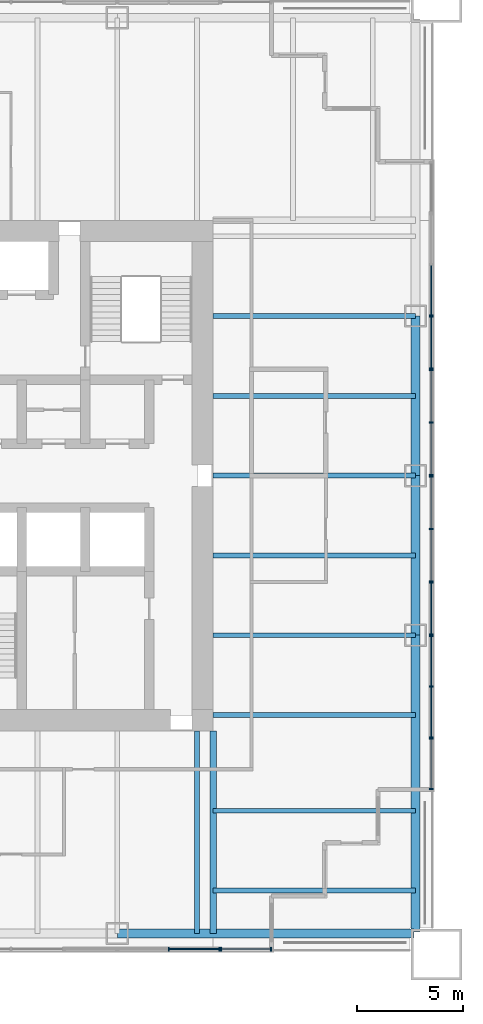
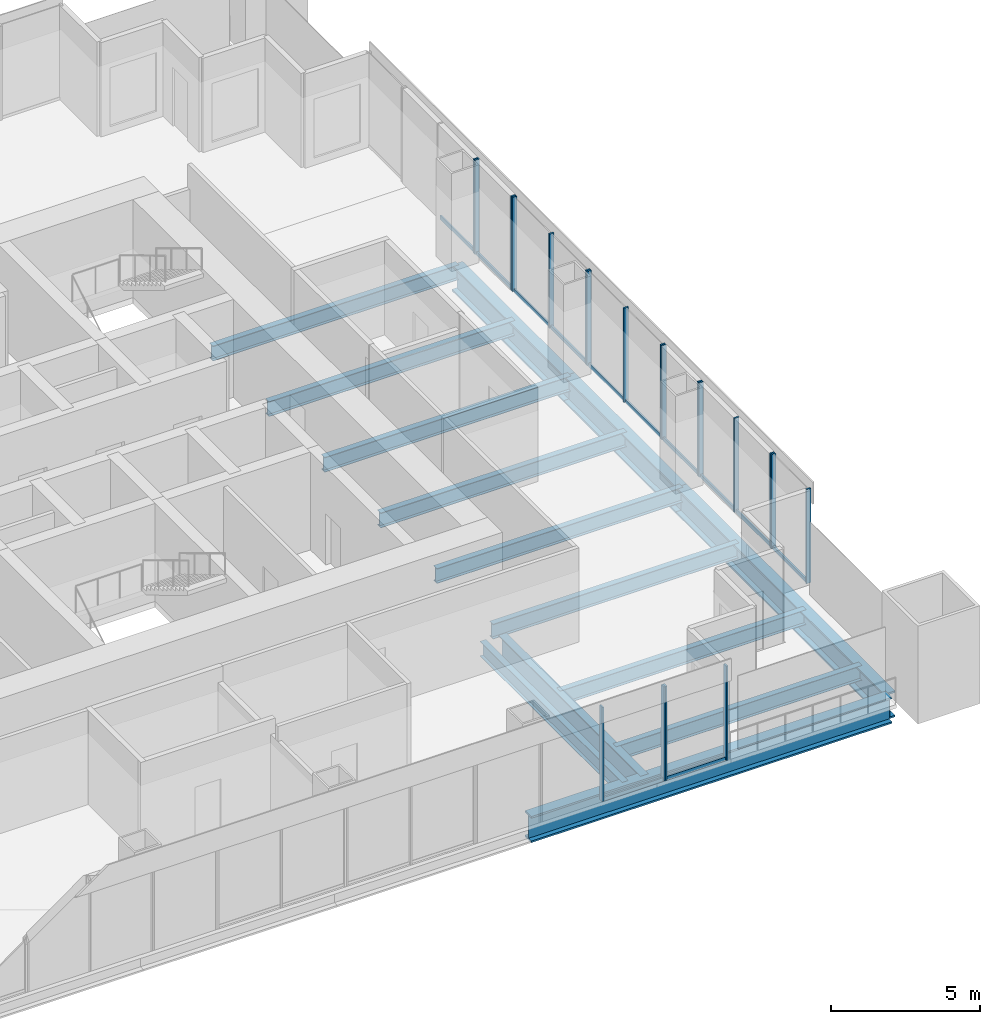
# One storey, part 4 of 13: 32 members, 14 beams, 9 elements without a shape of their own.
"""IFC4 building model written with IfcOpenShell, lengths in metres."""

from ifc_helpers import new_model, si_unit, direction, frame, origin, origin_2d, place, context, subcontext, project, spatial, rectangle, i_section, extrude, material, material_profile, profile_set, type_object, element, aggregate, save


model = new_model("IFC4")

# Units and contexts
model_context = context("Model", 3, precision=1e-05, world=origin(), true_north=direction((0.0, 1.0)))
body_context = subcontext(model_context, "Body", "Model", "MODEL_VIEW")
ifc_project = project(units=[si_unit("LENGTHUNIT", "METRE"), si_unit("AREAUNIT", "SQUARE_METRE"), si_unit("VOLUMEUNIT", "CUBIC_METRE"), si_unit("PLANEANGLEUNIT", "RADIAN"), si_unit("MASSUNIT", "GRAM", prefix="KILO")], contexts=[model_context])

# Site, building, storey
site_placement = place(None, origin())
site = spatial("IfcSite", under=ifc_project, at=site_placement, CompositionType="ELEMENT")
building_placement = place(site_placement, origin())
building = spatial("IfcBuilding", under=site, at=building_placement, Name="Tarangal Relay Tower", CompositionType="ELEMENT")
storey_placement = place(building_placement, frame((0.0, 0.0, 225.89990234375)))
storey = spatial("IfcBuildingStorey", under=building, at=storey_placement, Name="L48", CompositionType="ELEMENT", Elevation=225.89990234375)

# Beams
ifc_material_1 = material(Name="Steel ASTM A992", Category="steel")
ifc_material_profile_1 = material_profile(ifc_material_1, i_section(OverallWidth=0.227783203125, OverallDepth=0.60205078125, WebThickness=0.010498046875, FlangeThickness=0.014892578125, at=origin_2d()), Name="W24X68")
ifc_profile_set_1 = profile_set([ifc_material_profile_1], Name="Steel ASTM A992")
beam_type_1 = type_object("IfcBeamType", Name="Corner beam W24X68", PredefinedType="JOIST", material=ifc_profile_set_1)
for number, where, z_axis, x_axis, name in (
    (1, (12.0, -15.75, -0.450927734375), (1.0, 0.0, 0.0), (0.0, 1.0, 0.0), "Corner beam CB11 E L48"),
    (2, (12.0, -19.5, -0.450927734375), (1.0, 0.0, 0.0), (0.0, 1.0, 0.0), "Corner beam CB11 E L48"),
):
    element("IfcBeam", number, at=place(storey_placement, frame(where, z_axis=z_axis, x_axis=x_axis)), inside=storey, type_object=beam_type_1, Name=name, PredefinedType="JOIST", context=body_context, shape_type="SweptSolid", body=[
        extrude(i_section(OverallWidth=0.227783203125, OverallDepth=0.60205078125, WebThickness=0.010498046875, FlangeThickness=0.014892578125, at=origin_2d()), origin(), (0.0, 0.0, 1.0), 9.514892578125),
    ])
ifc_material_profile_2 = material_profile(ifc_material_1, i_section(OverallWidth=0.307373046875, OverallDepth=0.9423828125, WebThickness=0.022216796875, FlangeThickness=0.039794921875, at=origin_2d()), Name="W36X232")
ifc_profile_set_2 = profile_set([ifc_material_profile_2], Name="Steel ASTM A992")
beam_type_2 = type_object("IfcBeamType", Name="Corner girder W36X232", PredefinedType="BEAM", material=ifc_profile_set_2)
beam_placement = place(storey_placement, frame((12.0, -12.0, -0.62109375), z_axis=(0.0, -1.0, 0.0), x_axis=(1.0, 0.0, 0.0)))
element("IfcBeam", 3, at=beam_placement, inside=storey, type_object=beam_type_2, Name="Corner girder CG4 E L48", PredefinedType="BEAM", context=body_context, shape_type="SweptSolid", body=[
    extrude(i_section(OverallWidth=0.307373046875, OverallDepth=0.9423828125, WebThickness=0.022216796875, FlangeThickness=0.039794921875, at=origin_2d()), origin(), (0.0, 0.0, 1.0), 9.514892578125),
])
ifc_material_profile_3 = material_profile(ifc_material_1, i_section(OverallWidth=0.41650390625, OverallDepth=1.0693359375, WebThickness=0.0390625, FlangeThickness=0.070068359375, at=origin_2d()), Name="W40X503")
ifc_profile_set_3 = profile_set([ifc_material_profile_3], Name="Steel ASTM A992")
beam_type_3 = type_object("IfcBeamType", Name="Edge girder W40X503", PredefinedType="SPANDREL", material=ifc_profile_set_3)
for number, where, z_axis, x_axis, name in (
    (4, (21.514892578125, 7.5, -0.6845703125), (0.0, -1.0, 0.0), (1.0, 0.0, 0.0), "Edge girder EG8 E L48"),
    (5, (21.514892578125, 0.0, -0.6845703125), (0.0, -1.0, 0.0), (1.0, 0.0, 0.0), "Edge girder EG8 E L48"),
):
    element("IfcBeam", number, at=place(storey_placement, frame(where, z_axis=z_axis, x_axis=x_axis)), inside=storey, type_object=beam_type_3, Name=name, PredefinedType="SPANDREL", context=body_context, shape_type="SweptSolid", body=[
        extrude(i_section(OverallWidth=0.41650390625, OverallDepth=1.0693359375, WebThickness=0.0390625, FlangeThickness=0.070068359375, at=origin_2d()), origin(), (0.0, 0.0, 1.0), 7.5),
    ])
for number, where, z_axis, x_axis, name in (
    (6, (21.514892578125, -7.5, -0.6845703125), (0.0, -1.0, 0.0), (1.0, 0.0, 0.0), "Edge girder EG8 E L48"),
    (7, (21.449951171875, -21.514892578125, -0.6845703125), (-1.0, 0.0, 0.0), (0.0, -1.0, 0.0), "Edge girder EG8 S L48"),
):
    element("IfcBeam", number, at=place(storey_placement, frame(where, z_axis=z_axis, x_axis=x_axis)), inside=storey, type_object=beam_type_3, Name=name, PredefinedType="SPANDREL", context=body_context, shape_type="SweptSolid", body=[
        extrude(i_section(OverallWidth=0.41650390625, OverallDepth=1.0693359375, WebThickness=0.0390625, FlangeThickness=0.070068359375, at=origin_2d()), origin(), (0.0, 0.0, 1.0), 13.949951171875),
    ])
ifc_material_profile_4 = material_profile(ifc_material_1, i_section(OverallWidth=0.22900390625, OverallDepth=0.612060546875, WebThickness=0.011962890625, FlangeThickness=0.01953125, at=origin_2d()), Name="W24X84")
ifc_profile_set_4 = profile_set([ifc_material_profile_4], Name="Steel ASTM A992")
beam_type_4 = type_object("IfcBeamType", Name="Floor beam W24X84", PredefinedType="BEAM", material=ifc_profile_set_4)
for number, where, z_axis, x_axis, name in (
    (8, (12.0, 7.5, -0.455810546875), (1.0, 0.0, 0.0), (0.0, 1.0, 0.0), "Floor beam RB12 E L48"),
    (9, (12.0, 3.75, -0.455810546875), (1.0, 0.0, 0.0), (0.0, 1.0, 0.0), "Floor beam RB12 E L48"),
    (10, (12.0, 0.0, -0.455810546875), (1.0, 0.0, 0.0), (0.0, 1.0, 0.0), "Floor beam RB12 E L48"),
    (11, (12.0, -3.75, -0.455810546875), (1.0, 0.0, 0.0), (0.0, 1.0, 0.0), "Floor beam RB12 E L48"),
    (12, (12.0, -7.5, -0.455810546875), (1.0, 0.0, 0.0), (0.0, 1.0, 0.0), "Floor beam RB12 E L48"),
    (13, (12.0, -11.25, -0.455810546875), (1.0, 0.0, 0.0), (0.0, 1.0, 0.0), "Floor beam RB12 E L48"),
    (14, (11.25, -12.0, -0.455810546875), (0.0, -1.0, 0.0), (1.0, 0.0, 0.0), "Floor beam RB12 S L48"),
):
    element("IfcBeam", number, at=place(storey_placement, frame(where, z_axis=z_axis, x_axis=x_axis)), inside=storey, type_object=beam_type_4, Name=name, PredefinedType="BEAM", context=body_context, shape_type="SweptSolid", body=[
        extrude(i_section(OverallWidth=0.22900390625, OverallDepth=0.612060546875, WebThickness=0.011962890625, FlangeThickness=0.01953125, at=origin_2d()), origin(), (0.0, 0.0, 1.0), 9.514892578125),
    ])

# Curtain wall, members
ifc_material_2 = material(Name="Unitised curtain wall, dark glass and black aluminium", Category="aluminium")
curtain_wall_type_1 = type_object("IfcCurtainWallType", Name="Curtain wall CW-A", PredefinedType="USERDEFINED", material=ifc_material_2)
curtain_wall_1_placement = place(storey_placement, origin())
curtain_wall_1 = element("IfcCurtainWall", 15, at=curtain_wall_1_placement, inside=storey, type_object=curtain_wall_type_1, Name="Curtain wall CW-A E facade L48", ObjectType="UNITISED CURTAIN WALL", PredefinedType="USERDEFINED")
ifc_material_3 = material(Name="Black anodised aluminium mullion", Category="aluminium")
ifc_material_profile_5 = material_profile(ifc_material_3, rectangle(XDim=0.175048828125, YDim=0.06494140625, at=origin_2d()), Name="CW-AM 65X175")
ifc_profile_set_5 = profile_set([ifc_material_profile_5], Name="Black anodised aluminium mullion")
member_type_1 = type_object("IfcMemberType", Name="Mullion CW-A 65 x 175", PredefinedType="MULLION", material=ifc_profile_set_5)
member_1_placement = place(storey_placement, frame((22.25, 4.967529296875, 0.0), z_axis=(0.0, 0.0, 1.0), x_axis=(1.0, 0.0, 0.0)))
member_1 = element("IfcMember", 16, at=member_1_placement, type_object=member_type_1, Name="CW-A mullion 1", PredefinedType="MULLION", context=body_context, shape_type="SweptSolid", body=[
    extrude(rectangle(XDim=0.175048828125, YDim=0.06494140625, at=origin_2d()), origin(), (0.0, 0.0, 1.0), 3.85009765625),
])
member_2_placement = place(storey_placement, frame((22.25, 2.5, 0.0), z_axis=(0.0, 0.0, 1.0), x_axis=(1.0, 0.0, 0.0)))
member_2 = element("IfcMember", 17, at=member_2_placement, type_object=member_type_1, Name="CW-A mullion 2", PredefinedType="MULLION", context=body_context, shape_type="SweptSolid", body=[
    extrude(rectangle(XDim=0.175048828125, YDim=0.06494140625, at=origin_2d()), origin(), (0.0, 0.0, 1.0), 3.85009765625),
])
member_3_placement = place(storey_placement, frame((22.25, 0.032470703125, 0.0), z_axis=(0.0, 0.0, 1.0), x_axis=(1.0, 0.0, 0.0)))
member_3 = element("IfcMember", 18, at=member_3_placement, type_object=member_type_1, Name="CW-A mullion 3", PredefinedType="MULLION", context=body_context, shape_type="SweptSolid", body=[
    extrude(rectangle(XDim=0.175048828125, YDim=0.06494140625, at=origin_2d()), origin(), (0.0, 0.0, 1.0), 3.85009765625),
])

curtain_wall_2_placement = place(storey_placement, origin())
curtain_wall_2 = element("IfcCurtainWall", 19, at=curtain_wall_2_placement, inside=storey, type_object=curtain_wall_type_1, Name="Curtain wall CW-A E facade L48", ObjectType="UNITISED CURTAIN WALL", PredefinedType="USERDEFINED")
member_4_placement = place(storey_placement, frame((22.25, -0.032470703125, 0.0), z_axis=(0.0, 0.0, 1.0), x_axis=(1.0, 0.0, 0.0)))
member_4 = element("IfcMember", 20, at=member_4_placement, type_object=member_type_1, Name="CW-A mullion 1", PredefinedType="MULLION", context=body_context, shape_type="SweptSolid", body=[
    extrude(rectangle(XDim=0.175048828125, YDim=0.06494140625, at=origin_2d()), origin(), (0.0, 0.0, 1.0), 3.85009765625),
])
member_5_placement = place(storey_placement, frame((22.25, -2.5, 0.0), z_axis=(0.0, 0.0, 1.0), x_axis=(1.0, 0.0, 0.0)))
member_5 = element("IfcMember", 21, at=member_5_placement, type_object=member_type_1, Name="CW-A mullion 2", PredefinedType="MULLION", context=body_context, shape_type="SweptSolid", body=[
    extrude(rectangle(XDim=0.175048828125, YDim=0.06494140625, at=origin_2d()), origin(), (0.0, 0.0, 1.0), 3.85009765625),
])
member_6_placement = place(storey_placement, frame((22.25, -4.967529296875, 0.0), z_axis=(0.0, 0.0, 1.0), x_axis=(1.0, 0.0, 0.0)))
member_6 = element("IfcMember", 22, at=member_6_placement, type_object=member_type_1, Name="CW-A mullion 3", PredefinedType="MULLION", context=body_context, shape_type="SweptSolid", body=[
    extrude(rectangle(XDim=0.175048828125, YDim=0.06494140625, at=origin_2d()), origin(), (0.0, 0.0, 1.0), 3.85009765625),
])

curtain_wall_3_placement = place(storey_placement, origin())
curtain_wall_3 = element("IfcCurtainWall", 23, at=curtain_wall_3_placement, inside=storey, type_object=curtain_wall_type_1, Name="Curtain wall CW-A E facade L48", ObjectType="UNITISED CURTAIN WALL", PredefinedType="USERDEFINED")
member_7_placement = place(storey_placement, frame((22.25, -12.36572265625, 0.0), z_axis=(0.0, 0.0, 1.0), x_axis=(1.0, 0.0, 0.0)))
member_7 = element("IfcMember", 24, at=member_7_placement, type_object=member_type_1, Name="CW-A mullion 1", PredefinedType="MULLION", context=body_context, shape_type="SweptSolid", body=[
    extrude(rectangle(XDim=0.175048828125, YDim=0.06494140625, at=origin_2d()), origin(), (0.0, 0.0, 1.0), 3.85009765625),
])
member_8_placement = place(storey_placement, frame((22.25, -14.717529296875, 0.0), z_axis=(0.0, 0.0, 1.0), x_axis=(1.0, 0.0, 0.0)))
member_8 = element("IfcMember", 25, at=member_8_placement, type_object=member_type_1, Name="CW-A mullion 2", PredefinedType="MULLION", context=body_context, shape_type="SweptSolid", body=[
    extrude(rectangle(XDim=0.175048828125, YDim=0.06494140625, at=origin_2d()), origin(), (0.0, 0.0, 1.0), 3.85009765625),
])

curtain_wall_4_placement = place(storey_placement, origin())
curtain_wall_4 = element("IfcCurtainWall", 26, at=curtain_wall_4_placement, inside=storey, type_object=curtain_wall_type_1, Name="Curtain wall CW-A S facade L48", ObjectType="UNITISED CURTAIN WALL", PredefinedType="USERDEFINED")
member_9_placement = place(storey_placement, frame((14.717529296875, -22.25, 0.0), z_axis=(0.0, 0.0, 1.0), x_axis=(0.0, -1.0, 0.0)))
member_9 = element("IfcMember", 27, at=member_9_placement, type_object=member_type_1, Name="CW-A mullion 1", PredefinedType="MULLION", context=body_context, shape_type="SweptSolid", body=[
    extrude(rectangle(XDim=0.175048828125, YDim=0.06494140625, at=origin_2d()), origin(), (0.0, 0.0, 1.0), 3.85009765625),
])
member_10_placement = place(storey_placement, frame((12.36572265625, -22.25, 0.0), z_axis=(0.0, 0.0, 1.0), x_axis=(0.0, -1.0, 0.0)))
member_10 = element("IfcMember", 28, at=member_10_placement, type_object=member_type_1, Name="CW-A mullion 2", PredefinedType="MULLION", context=body_context, shape_type="SweptSolid", body=[
    extrude(rectangle(XDim=0.175048828125, YDim=0.06494140625, at=origin_2d()), origin(), (0.0, 0.0, 1.0), 3.85009765625),
])

# Curtain wall, member
ifc_material_4 = material(Name="Unitised curtain wall frame, black aluminium, with metal clad infill walls", Category="aluminium")
curtain_wall_type_2 = type_object("IfcCurtainWallType", Name="Curtain wall CW-AO", PredefinedType="USERDEFINED", material=ifc_material_4)
curtain_wall_5_placement = place(storey_placement, origin())
curtain_wall_5 = element("IfcCurtainWall", 29, at=curtain_wall_5_placement, inside=storey, type_object=curtain_wall_type_2, Name="Curtain wall CW-AO E facade L48", ObjectType="UNITISED CURTAIN WALL", PredefinedType="USERDEFINED")
ifc_material_profile_6 = material_profile(ifc_material_3, rectangle(XDim=0.175048828125, YDim=0.06494140625, at=origin_2d()), Name="CW-AOM 65X175")
ifc_profile_set_6 = profile_set([ifc_material_profile_6], Name="Black anodised aluminium mullion")
member_type_2 = type_object("IfcMemberType", Name="Mullion CW-AO 65 x 175", PredefinedType="MULLION", material=ifc_profile_set_6)
member_11_placement = place(storey_placement, frame((22.25, 7.532470703125, 0.0), z_axis=(0.0, 0.0, 1.0), x_axis=(1.0, 0.0, 0.0)))
member_11 = element("IfcMember", 30, at=member_11_placement, type_object=member_type_2, Name="CW-AO mullion 3", PredefinedType="MULLION", context=body_context, shape_type="SweptSolid", body=[
    extrude(rectangle(XDim=0.175048828125, YDim=0.06494140625, at=origin_2d()), origin(), (0.0, 0.0, 1.0), 3.85009765625),
])

# Curtain wall, members
curtain_wall_6_placement = place(storey_placement, origin())
curtain_wall_6 = element("IfcCurtainWall", 31, at=curtain_wall_6_placement, inside=storey, type_object=curtain_wall_type_2, Name="Curtain wall CW-AO E facade L48", ObjectType="UNITISED CURTAIN WALL", PredefinedType="USERDEFINED")
member_12_placement = place(storey_placement, frame((22.25, 7.467529296875, 0.0), z_axis=(0.0, 0.0, 1.0), x_axis=(1.0, 0.0, 0.0)))
member_12 = element("IfcMember", 32, at=member_12_placement, type_object=member_type_2, Name="CW-AO mullion 1", PredefinedType="MULLION", context=body_context, shape_type="SweptSolid", body=[
    extrude(rectangle(XDim=0.175048828125, YDim=0.06494140625, at=origin_2d()), origin(), (0.0, 0.0, 1.0), 3.85009765625),
])
member_13_placement = place(storey_placement, frame((22.25, 5.032470703125, 0.0), z_axis=(0.0, 0.0, 1.0), x_axis=(1.0, 0.0, 0.0)))
member_13 = element("IfcMember", 33, at=member_13_placement, type_object=member_type_2, Name="CW-AO mullion 2", PredefinedType="MULLION", context=body_context, shape_type="SweptSolid", body=[
    extrude(rectangle(XDim=0.175048828125, YDim=0.06494140625, at=origin_2d()), origin(), (0.0, 0.0, 1.0), 3.85009765625),
])

curtain_wall_7_placement = place(storey_placement, origin())
curtain_wall_7 = element("IfcCurtainWall", 34, at=curtain_wall_7_placement, inside=storey, type_object=curtain_wall_type_2, Name="Curtain wall CW-AO E facade L48", ObjectType="UNITISED CURTAIN WALL", PredefinedType="USERDEFINED")
member_14_placement = place(storey_placement, frame((22.25, -5.032470703125, 0.0), z_axis=(0.0, 0.0, 1.0), x_axis=(1.0, 0.0, 0.0)))
member_14 = element("IfcMember", 35, at=member_14_placement, type_object=member_type_2, Name="CW-AO mullion 1", PredefinedType="MULLION", context=body_context, shape_type="SweptSolid", body=[
    extrude(rectangle(XDim=0.175048828125, YDim=0.06494140625, at=origin_2d()), origin(), (0.0, 0.0, 1.0), 3.85009765625),
])
member_15_placement = place(storey_placement, frame((22.25, -7.467529296875, 0.0), z_axis=(0.0, 0.0, 1.0), x_axis=(1.0, 0.0, 0.0)))
member_15 = element("IfcMember", 36, at=member_15_placement, type_object=member_type_2, Name="CW-AO mullion 2", PredefinedType="MULLION", context=body_context, shape_type="SweptSolid", body=[
    extrude(rectangle(XDim=0.175048828125, YDim=0.06494140625, at=origin_2d()), origin(), (0.0, 0.0, 1.0), 3.85009765625),
])

curtain_wall_8_placement = place(storey_placement, origin())
curtain_wall_8 = element("IfcCurtainWall", 37, at=curtain_wall_8_placement, inside=storey, type_object=curtain_wall_type_2, Name="Curtain wall CW-AO E facade L48", ObjectType="UNITISED CURTAIN WALL", PredefinedType="USERDEFINED")
member_16_placement = place(storey_placement, frame((22.25, -7.532470703125, 0.0), z_axis=(0.0, 0.0, 1.0), x_axis=(1.0, 0.0, 0.0)))
member_16 = element("IfcMember", 38, at=member_16_placement, type_object=member_type_2, Name="CW-AO mullion 1", PredefinedType="MULLION", context=body_context, shape_type="SweptSolid", body=[
    extrude(rectangle(XDim=0.175048828125, YDim=0.06494140625, at=origin_2d()), origin(), (0.0, 0.0, 1.0), 3.85009765625),
])
member_17_placement = place(storey_placement, frame((22.25, -9.916748046875, 0.0), z_axis=(0.0, 0.0, 1.0), x_axis=(1.0, 0.0, 0.0)))
member_17 = element("IfcMember", 39, at=member_17_placement, type_object=member_type_2, Name="CW-AO mullion 2", PredefinedType="MULLION", context=body_context, shape_type="SweptSolid", body=[
    extrude(rectangle(XDim=0.175048828125, YDim=0.06494140625, at=origin_2d()), origin(), (0.0, 0.0, 1.0), 3.85009765625),
])
member_18_placement = place(storey_placement, frame((22.25, -12.30078125, 0.0), z_axis=(0.0, 0.0, 1.0), x_axis=(1.0, 0.0, 0.0)))
member_18 = element("IfcMember", 40, at=member_18_placement, type_object=member_type_2, Name="CW-AO mullion 3", PredefinedType="MULLION", context=body_context, shape_type="SweptSolid", body=[
    extrude(rectangle(XDim=0.175048828125, YDim=0.06494140625, at=origin_2d()), origin(), (0.0, 0.0, 1.0), 3.85009765625),
])

curtain_wall_9_placement = place(storey_placement, origin())
curtain_wall_9 = element("IfcCurtainWall", 41, at=curtain_wall_9_placement, inside=storey, type_object=curtain_wall_type_2, Name="Curtain wall CW-AO S facade L48", ObjectType="UNITISED CURTAIN WALL", PredefinedType="USERDEFINED")
member_19_placement = place(storey_placement, frame((12.30078125, -22.25, 0.0), z_axis=(0.0, 0.0, 1.0), x_axis=(0.0, -1.0, 0.0)))
member_19 = element("IfcMember", 42, at=member_19_placement, type_object=member_type_2, Name="CW-AO mullion 1", PredefinedType="MULLION", context=body_context, shape_type="SweptSolid", body=[
    extrude(rectangle(XDim=0.175048828125, YDim=0.06494140625, at=origin_2d()), origin(), (0.0, 0.0, 1.0), 3.85009765625),
])
member_20_placement = place(storey_placement, frame((9.916748046875, -22.25, 0.0), z_axis=(0.0, 0.0, 1.0), x_axis=(0.0, -1.0, 0.0)))
member_20 = element("IfcMember", 43, at=member_20_placement, type_object=member_type_2, Name="CW-AO mullion 2", PredefinedType="MULLION", context=body_context, shape_type="SweptSolid", body=[
    extrude(rectangle(XDim=0.175048828125, YDim=0.06494140625, at=origin_2d()), origin(), (0.0, 0.0, 1.0), 3.85009765625),
])

# Member
ifc_material_5 = material(Name="Black anodised aluminium transom", Category="aluminium")
ifc_material_profile_7 = material_profile(ifc_material_5, rectangle(XDim=0.06494140625, YDim=0.14990234375, at=origin_2d()), Name="CW-AT 65X150")
ifc_profile_set_7 = profile_set([ifc_material_profile_7], Name="Black anodised aluminium transom")
member_type_3 = type_object("IfcMemberType", Name="Transom CW-A 65 x 150", PredefinedType="USERDEFINED", material=ifc_profile_set_7)
member_21_placement = place(storey_placement, frame((22.25, 4.93505859375, 0.03271484375), z_axis=(0.0, -1.0, 0.0), x_axis=(1.0, 0.0, 0.0)))
member_21 = element("IfcMember", 44, at=member_21_placement, type_object=member_type_3, Name="CW-A transom 1.1", ObjectType="TRANSOM", PredefinedType="USERDEFINED", context=body_context, shape_type="SweptSolid", body=[
    extrude(rectangle(XDim=0.06494140625, YDim=0.14990234375, at=origin_2d()), origin(), (0.0, 0.0, 1.0), 2.402587890625),
])

member_22_placement = place(storey_placement, frame((22.25, 2.467529296875, 0.03271484375), z_axis=(0.0, -1.0, 0.0), x_axis=(1.0, 0.0, 0.0)))
member_22 = element("IfcMember", 45, at=member_22_placement, type_object=member_type_3, Name="CW-A transom 2.1", ObjectType="TRANSOM", PredefinedType="USERDEFINED", context=body_context, shape_type="SweptSolid", body=[
    extrude(rectangle(XDim=0.06494140625, YDim=0.14990234375, at=origin_2d()), origin(), (0.0, 0.0, 1.0), 2.402587890625),
])

aggregate(curtain_wall_1, [member_1, member_2, member_3, member_21, member_22])

member_23_placement = place(storey_placement, frame((22.25, -0.06494140625, 0.03271484375), z_axis=(0.0, -1.0, 0.0), x_axis=(1.0, 0.0, 0.0)))
member_23 = element("IfcMember", 46, at=member_23_placement, type_object=member_type_3, Name="CW-A transom 1.1", ObjectType="TRANSOM", PredefinedType="USERDEFINED", context=body_context, shape_type="SweptSolid", body=[
    extrude(rectangle(XDim=0.06494140625, YDim=0.14990234375, at=origin_2d()), origin(), (0.0, 0.0, 1.0), 2.402587890625),
])

member_24_placement = place(storey_placement, frame((22.25, -2.532470703125, 0.03271484375), z_axis=(0.0, -1.0, 0.0), x_axis=(1.0, 0.0, 0.0)))
member_24 = element("IfcMember", 47, at=member_24_placement, type_object=member_type_3, Name="CW-A transom 2.1", ObjectType="TRANSOM", PredefinedType="USERDEFINED", context=body_context, shape_type="SweptSolid", body=[
    extrude(rectangle(XDim=0.06494140625, YDim=0.14990234375, at=origin_2d()), origin(), (0.0, 0.0, 1.0), 2.402587890625),
])

aggregate(curtain_wall_2, [member_4, member_5, member_6, member_23, member_24])

member_25_placement = place(storey_placement, frame((22.25, -12.398193359375, 0.03271484375), z_axis=(0.0, -1.0, 0.0), x_axis=(1.0, 0.0, 0.0)))
member_25 = element("IfcMember", 48, at=member_25_placement, type_object=member_type_3, Name="CW-A transom 1.1", ObjectType="TRANSOM", PredefinedType="USERDEFINED", context=body_context, shape_type="SweptSolid", body=[
    extrude(rectangle(XDim=0.06494140625, YDim=0.14990234375, at=origin_2d()), origin(), (0.0, 0.0, 1.0), 2.286865234375),
])

aggregate(curtain_wall_3, [member_7, member_8, member_25])

member_26_placement = place(storey_placement, frame((14.68505859375, -22.25, 0.03271484375), z_axis=(-1.0, 0.0, 0.0), x_axis=(0.0, -1.0, 0.0)))
member_26 = element("IfcMember", 49, at=member_26_placement, type_object=member_type_3, Name="CW-A transom 1.1", ObjectType="TRANSOM", PredefinedType="USERDEFINED", context=body_context, shape_type="SweptSolid", body=[
    extrude(rectangle(XDim=0.06494140625, YDim=0.14990234375, at=origin_2d()), origin(), (0.0, 0.0, 1.0), 2.286865234375),
])

aggregate(curtain_wall_4, [member_9, member_10, member_26])

ifc_material_profile_8 = material_profile(ifc_material_5, rectangle(XDim=0.06494140625, YDim=0.14990234375, at=origin_2d()), Name="CW-AOT 65X150")
ifc_profile_set_8 = profile_set([ifc_material_profile_8], Name="Black anodised aluminium transom")
member_type_4 = type_object("IfcMemberType", Name="Transom CW-AO 65 x 150", PredefinedType="USERDEFINED", material=ifc_profile_set_8)
member_27_placement = place(storey_placement, frame((22.25, 9.884033203125, 0.03271484375), z_axis=(0.0, -1.0, 0.0), x_axis=(1.0, 0.0, 0.0)))
member_27 = element("IfcMember", 50, at=member_27_placement, type_object=member_type_4, Name="CW-AO transom 2.1", ObjectType="TRANSOM", PredefinedType="USERDEFINED", context=body_context, shape_type="SweptSolid", body=[
    extrude(rectangle(XDim=0.06494140625, YDim=0.14990234375, at=origin_2d()), origin(), (0.0, 0.0, 1.0), 2.319091796875),
])

aggregate(curtain_wall_5, [member_11, member_27])

member_28_placement = place(storey_placement, frame((22.25, 7.43505859375, 0.03271484375), z_axis=(0.0, -1.0, 0.0), x_axis=(1.0, 0.0, 0.0)))
member_28 = element("IfcMember", 51, at=member_28_placement, type_object=member_type_4, Name="CW-AO transom 1.1", ObjectType="TRANSOM", PredefinedType="USERDEFINED", context=body_context, shape_type="SweptSolid", body=[
    extrude(rectangle(XDim=0.06494140625, YDim=0.14990234375, at=origin_2d()), origin(), (0.0, 0.0, 1.0), 2.3701171875),
])

aggregate(curtain_wall_6, [member_12, member_13, member_28])

member_29_placement = place(storey_placement, frame((22.25, -5.06494140625, 0.03271484375), z_axis=(0.0, -1.0, 0.0), x_axis=(1.0, 0.0, 0.0)))
member_29 = element("IfcMember", 52, at=member_29_placement, type_object=member_type_4, Name="CW-AO transom 1.1", ObjectType="TRANSOM", PredefinedType="USERDEFINED", context=body_context, shape_type="SweptSolid", body=[
    extrude(rectangle(XDim=0.06494140625, YDim=0.14990234375, at=origin_2d()), origin(), (0.0, 0.0, 1.0), 2.3701171875),
])

aggregate(curtain_wall_7, [member_14, member_15, member_29])

member_30_placement = place(storey_placement, frame((22.25, -7.56494140625, 0.03271484375), z_axis=(0.0, -1.0, 0.0), x_axis=(1.0, 0.0, 0.0)))
member_30 = element("IfcMember", 53, at=member_30_placement, type_object=member_type_4, Name="CW-AO transom 1.1", ObjectType="TRANSOM", PredefinedType="USERDEFINED", context=body_context, shape_type="SweptSolid", body=[
    extrude(rectangle(XDim=0.06494140625, YDim=0.14990234375, at=origin_2d()), origin(), (0.0, 0.0, 1.0), 2.319091796875),
])

member_31_placement = place(storey_placement, frame((22.25, -9.94921875, 0.03271484375), z_axis=(0.0, -1.0, 0.0), x_axis=(1.0, 0.0, 0.0)))
member_31 = element("IfcMember", 54, at=member_31_placement, type_object=member_type_4, Name="CW-AO transom 2.1", ObjectType="TRANSOM", PredefinedType="USERDEFINED", context=body_context, shape_type="SweptSolid", body=[
    extrude(rectangle(XDim=0.06494140625, YDim=0.14990234375, at=origin_2d()), origin(), (0.0, 0.0, 1.0), 2.319091796875),
])

aggregate(curtain_wall_8, [member_16, member_17, member_18, member_30, member_31])

member_32_placement = place(storey_placement, frame((12.268310546875, -22.25, 0.03271484375), z_axis=(-1.0, 0.0, 0.0), x_axis=(0.0, -1.0, 0.0)))
member_32 = element("IfcMember", 55, at=member_32_placement, type_object=member_type_4, Name="CW-AO transom 1.1", ObjectType="TRANSOM", PredefinedType="USERDEFINED", context=body_context, shape_type="SweptSolid", body=[
    extrude(rectangle(XDim=0.06494140625, YDim=0.14990234375, at=origin_2d()), origin(), (0.0, 0.0, 1.0), 2.319091796875),
])

aggregate(curtain_wall_9, [member_19, member_20, member_32])

save(model, "model.ifc")
